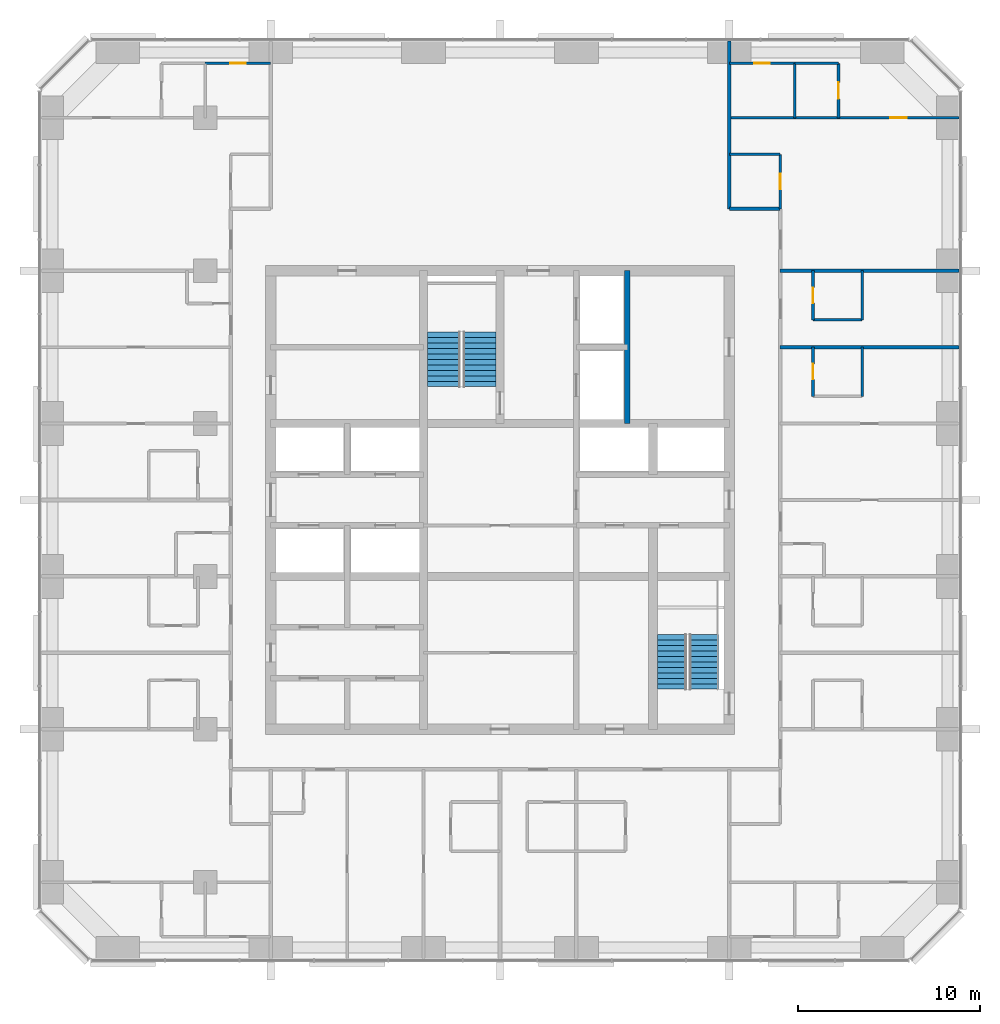
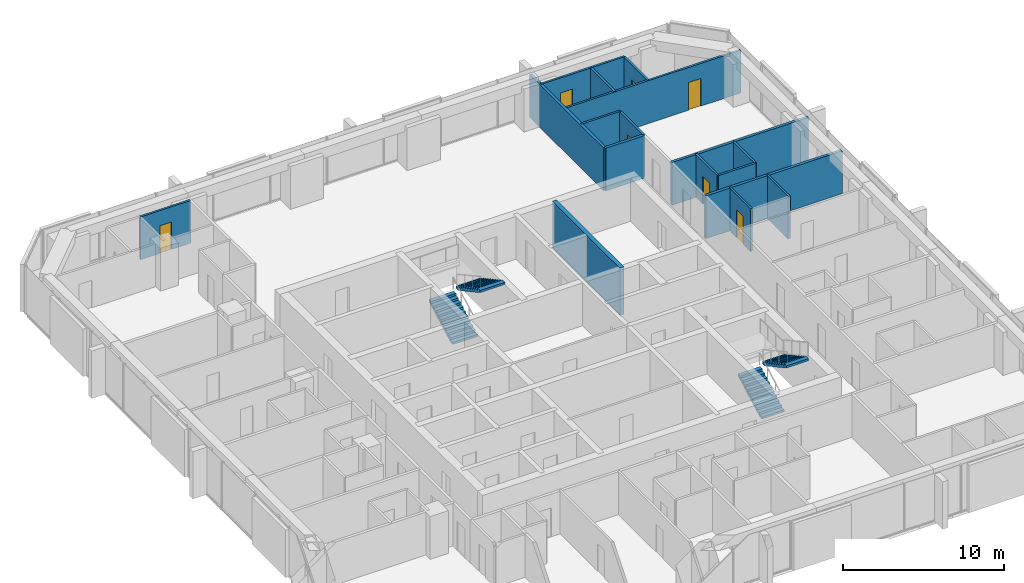
# One storey, part 12 of 13: 18 walls, 7 doors, 4 stair flights, 7 openings, 2 elements without a shape of their own.
"""IFC4 building model written with IfcOpenShell, lengths in metres."""

from ifc_helpers import new_model, si_unit, direction, frame, frame_2d, origin, place, context, subcontext, project, spatial, polyline, rectangle, outline, extrude, material, layer, layer_set, type_object, element, fill, aggregate, save


model = new_model("IFC4")

# Units and contexts
model_context = context("Model", 3, precision=1e-05, world=origin(), true_north=direction((0.0, 1.0)))
body_context = subcontext(model_context, "Body", "Model", "MODEL_VIEW")
ifc_project = project(units=[si_unit("LENGTHUNIT", "METRE"), si_unit("AREAUNIT", "SQUARE_METRE"), si_unit("VOLUMEUNIT", "CUBIC_METRE"), si_unit("PLANEANGLEUNIT", "RADIAN"), si_unit("MASSUNIT", "GRAM", prefix="KILO")], contexts=[model_context])

# Site, building, storey
site_placement = place(None, origin())
site = spatial("IfcSite", under=ifc_project, at=site_placement, CompositionType="ELEMENT")
building_placement = place(site_placement, origin())
building = spatial("IfcBuilding", under=site, at=building_placement, Name="Dunama Terrace Hotel", CompositionType="ELEMENT")
storey_placement = place(building_placement, frame((0.0, 0.0, 205.800048828125)))
storey = spatial("IfcBuildingStorey", under=building, at=storey_placement, Name="L53", CompositionType="ELEMENT", Elevation=205.800048828125)

# Wall, opening, door
ifc_material_1 = material(Name="Gypsum board partition", Category="masonry")
ifc_layer_1 = layer(ifc_material_1, 0.14990234375)
ifc_layer_set_1 = layer_set([ifc_layer_1], Name="Bathroom partition 150")
wall_type_1 = type_object("IfcWallType", Name="Bathroom partition 150", PredefinedType="PARTITIONING", material=ifc_layer_set_1)
wall_1_placement = place(storey_placement, frame((44.800048828125, 45.39990234375, 0.0), z_axis=(0.0, 0.0, 1.0), x_axis=(0.0, 1.0, 0.0)))
wall_1 = element("IfcWall", 1, at=wall_1_placement, inside=storey, type_object=wall_type_1, Name="Bathroom partition 150 L53", PredefinedType="PARTITIONING", context=body_context, shape_type="SweptSolid", body=[
    extrude(rectangle(XDim=3.0, YDim=0.14990234375, at=frame_2d((1.5, 0.0))), origin(), (0.0, 0.0, 1.0), 3.25),
])
opening_1_placement = place(wall_1_placement, frame((1.074951171875, 0.0, 0.0)))
opening_1 = element("IfcOpeningElement", 2, at=opening_1_placement, cuts=wall_1, Name="Opening L53-54-051", PredefinedType="OPENING", context=body_context, shape_type="SweptSolid", body=[
    extrude(rectangle(XDim=0.85009765625, YDim=2.10009765625, at=frame_2d((0.425048828125, 1.050048828125))), frame((0.0, 0.0849609375, 0.0), z_axis=(0.0, -1.0, 0.0), x_axis=(1.0, 0.0, 0.0)), (0.0, 0.0, 1.0), 0.169921875),
])
ifc_material_2 = material(Name="Timber door with steel frame", Category="steel")
door_type_1 = type_object("IfcDoorType", Name="Bathroom door 850", OperationType="SINGLE_SWING_LEFT", PredefinedType="DOOR", material=ifc_material_2)
door_1_placement = place(opening_1_placement, origin())
door_1 = element("IfcDoor", 3, at=door_1_placement, inside=storey, type_object=door_type_1, Name="Door to powder room L53-54-051, type D2", OperationType="SINGLE_SWING_LEFT", OverallHeight=2.10009765625, OverallWidth=0.85009765625, PredefinedType="DOOR", context=body_context, shape_type="SweptSolid", body=[
    extrude(rectangle(XDim=0.85009765625, YDim=2.10009765625, at=frame_2d((0.425048828125, 1.050048828125))), frame((0.0, 0.02490234375, 0.0), z_axis=(0.0, -1.0, 0.0), x_axis=(1.0, 0.0, 0.0)), (0.0, 0.0, 1.0), 0.050048828125),
])
fill(opening_1, door_1)

wall_2_placement = place(storey_placement, frame((46.60009765625, 35.10009765625, 0.0), z_axis=(0.0, 0.0, 1.0), x_axis=(0.0, 1.0, 0.0)))
wall_2 = element("IfcWall", 4, at=wall_2_placement, inside=storey, type_object=wall_type_1, Name="Bathroom partition 150 L53", PredefinedType="PARTITIONING", context=body_context, shape_type="SweptSolid", body=[
    extrude(rectangle(XDim=2.699951171875, YDim=0.14990234375, at=frame_2d((1.35009765625, 0.0))), origin(), (0.0, 0.0, 1.0), 3.25),
])
opening_2_placement = place(wall_2_placement, frame((0.925048828125, 0.0, 0.0)))
opening_2 = element("IfcOpeningElement", 5, at=opening_2_placement, cuts=wall_2, Name="Opening L53-54-026", PredefinedType="OPENING", context=body_context, shape_type="SweptSolid", body=[
    extrude(rectangle(XDim=0.85009765625, YDim=2.10009765625, at=frame_2d((0.425048828125, 1.050048828125))), frame((0.0, 0.0849609375, 0.0), z_axis=(0.0, -1.0, 0.0), x_axis=(1.0, 0.0, 0.0)), (0.0, 0.0, 1.0), 0.169921875),
])
door_2_placement = place(opening_2_placement, frame((0.85009765625, 0.0, 0.0), z_axis=(0.0, 0.0, 1.0), x_axis=(-1.0, 0.0, 0.0)))
door_2 = element("IfcDoor", 6, at=door_2_placement, inside=storey, type_object=door_type_1, Name="Door to en-suite bathroom L53-54-026, type D2", OperationType="SINGLE_SWING_LEFT", OverallHeight=2.10009765625, OverallWidth=0.85009765625, PredefinedType="DOOR", context=body_context, shape_type="SweptSolid", body=[
    extrude(rectangle(XDim=0.85009765625, YDim=2.10009765625, at=frame_2d((0.425048828125, 1.050048828125))), frame((0.0, 0.025146484375, 0.0), z_axis=(0.0, -1.0, 0.0), x_axis=(1.0, 0.0, 0.0)), (0.0, 0.0, 1.0), 0.050048828125),
])
fill(opening_2, door_2)

wall_3_placement = place(storey_placement, frame((46.60009765625, 39.300048828125, 0.0), z_axis=(0.0, 0.0, 1.0), x_axis=(0.0, 1.0, 0.0)))
wall_3 = element("IfcWall", 7, at=wall_3_placement, inside=storey, type_object=wall_type_1, Name="Bathroom partition 150 L53", PredefinedType="PARTITIONING", context=body_context, shape_type="SweptSolid", body=[
    extrude(rectangle(XDim=2.699951171875, YDim=0.14990234375, at=frame_2d((1.35009765625, 0.0))), origin(), (0.0, 0.0, 1.0), 3.25),
])
opening_3_placement = place(wall_3_placement, frame((0.925048828125, 0.0, 0.0)))
opening_3 = element("IfcOpeningElement", 8, at=opening_3_placement, cuts=wall_3, Name="Opening L53-54-028", PredefinedType="OPENING", context=body_context, shape_type="SweptSolid", body=[
    extrude(rectangle(XDim=0.85009765625, YDim=2.10009765625, at=frame_2d((0.425048828125, 1.050048828125))), frame((0.0, 0.0849609375, 0.0), z_axis=(0.0, -1.0, 0.0), x_axis=(1.0, 0.0, 0.0)), (0.0, 0.0, 1.0), 0.169921875),
])
door_3_placement = place(opening_3_placement, frame((0.85009765625, 0.0, 0.0), z_axis=(0.0, 0.0, 1.0), x_axis=(-1.0, 0.0, 0.0)))
door_3 = element("IfcDoor", 9, at=door_3_placement, inside=storey, type_object=door_type_1, Name="Door to en-suite bathroom L53-54-028, type D2", OperationType="SINGLE_SWING_LEFT", OverallHeight=2.10009765625, OverallWidth=0.85009765625, PredefinedType="DOOR", context=body_context, shape_type="SweptSolid", body=[
    extrude(rectangle(XDim=0.85009765625, YDim=2.10009765625, at=frame_2d((0.425048828125, 1.050048828125))), frame((0.0, 0.025146484375, 0.0), z_axis=(0.0, -1.0, 0.0), x_axis=(1.0, 0.0, 0.0)), (0.0, 0.0, 1.0), 0.050048828125),
])
fill(opening_3, door_3)

# Walls
for number, where, z_axis, x_axis, name in (
    (10, (49.300048828125, 35.10009765625, 0.0), (0.0, 0.0, 1.0), (0.0, 1.0, 0.0), "Bathroom partition 150 L53"),
    (11, (49.300048828125, 39.300048828125, 0.0), (0.0, 0.0, 1.0), (0.0, 1.0, 0.0), "Bathroom partition 150 L53"),
    (12, (46.60009765625, 39.300048828125, 0.0), (0.0, 0.0, 1.0), (1.0, 0.0, 0.0), "Bathroom partition 150 L53"),
):
    element("IfcWall", number, at=place(storey_placement, frame(where, z_axis=z_axis, x_axis=x_axis)), inside=storey, type_object=wall_type_1, Name=name, PredefinedType="PARTITIONING", context=body_context, shape_type="SweptSolid", body=[
        extrude(rectangle(XDim=2.699951171875, YDim=0.14990234375, at=frame_2d((1.35009765625, 0.0))), origin(), (0.0, 0.0, 1.0), 3.25),
    ])
wall_4_placement = place(storey_placement, frame((42.0, 48.39990234375, 0.0), z_axis=(0.0, 0.0, 1.0), x_axis=(1.0, 0.0, 0.0)))
element("IfcWall", 13, at=wall_4_placement, inside=storey, type_object=wall_type_1, Name="Bathroom partition 150 L53", PredefinedType="PARTITIONING", context=body_context, shape_type="SweptSolid", body=[
    extrude(rectangle(XDim=2.800048828125, YDim=0.14990234375, at=frame_2d((1.39990234375, 0.0))), origin(), (0.0, 0.0, 1.0), 3.25),
])

# Wall, opening, door
wall_5_placement = place(storey_placement, frame((13.199951171875, 53.39990234375, 0.0), z_axis=(0.0, 0.0, 1.0), x_axis=(1.0, 0.0, 0.0)))
wall_5 = element("IfcWall", 14, at=wall_5_placement, inside=storey, type_object=wall_type_1, Name="Bathroom partition 150 L53", PredefinedType="PARTITIONING", context=body_context, shape_type="SweptSolid", body=[
    extrude(rectangle(XDim=3.60009765625, YDim=0.14990234375, at=frame_2d((1.800048828125, 0.0))), origin(), (0.0, 0.0, 1.0), 3.25),
])
opening_4_placement = place(wall_5_placement, frame((1.375, 0.0, 0.0)))
opening_4 = element("IfcOpeningElement", 15, at=opening_4_placement, cuts=wall_5, Name="Opening L53-54-058", PredefinedType="OPENING", context=body_context, shape_type="SweptSolid", body=[
    extrude(rectangle(XDim=0.85009765625, YDim=2.10009765625, at=frame_2d((0.425048828125, 1.050048828125))), frame((0.0, 0.0849609375, 0.0), z_axis=(0.0, -1.0, 0.0), x_axis=(1.0, 0.0, 0.0)), (0.0, 0.0, 1.0), 0.169921875),
])
door_4_placement = place(opening_4_placement, frame((0.85009765625, 0.0, 0.0), z_axis=(0.0, 0.0, 1.0), x_axis=(-1.0, 0.0, 0.0)))
door_4 = element("IfcDoor", 16, at=door_4_placement, inside=storey, type_object=door_type_1, Name="Door to en-suite bathroom L53-54-058, type D2", OperationType="SINGLE_SWING_LEFT", OverallHeight=2.10009765625, OverallWidth=0.85009765625, PredefinedType="DOOR", context=body_context, shape_type="SweptSolid", body=[
    extrude(rectangle(XDim=0.85009765625, YDim=2.10009765625, at=frame_2d((0.425048828125, 1.050048828125))), frame((0.0, 0.025146484375, 0.0), z_axis=(0.0, -1.0, 0.0), x_axis=(1.0, 0.0, 0.0)), (0.0, 0.0, 1.0), 0.050048828125),
])
fill(opening_4, door_4)

wall_6_placement = place(storey_placement, frame((42.0, 53.39990234375, 0.0), z_axis=(0.0, 0.0, 1.0), x_axis=(1.0, 0.0, 0.0)))
wall_6 = element("IfcWall", 17, at=wall_6_placement, inside=storey, type_object=wall_type_1, Name="Bathroom partition 150 L53", PredefinedType="PARTITIONING", context=body_context, shape_type="SweptSolid", body=[
    extrude(rectangle(XDim=3.60009765625, YDim=0.14990234375, at=frame_2d((1.800048828125, 0.0))), origin(), (0.0, 0.0, 1.0), 3.25),
])
opening_5_placement = place(wall_6_placement, frame((1.375, 0.0, 0.0)))
opening_5 = element("IfcOpeningElement", 18, at=opening_5_placement, cuts=wall_6, Name="Opening L53-54-053", PredefinedType="OPENING", context=body_context, shape_type="SweptSolid", body=[
    extrude(rectangle(XDim=0.85009765625, YDim=2.10009765625, at=frame_2d((0.425048828125, 1.050048828125))), frame((0.0, 0.0849609375, 0.0), z_axis=(0.0, -1.0, 0.0), x_axis=(1.0, 0.0, 0.0)), (0.0, 0.0, 1.0), 0.169921875),
])
door_5_placement = place(opening_5_placement, frame((0.85009765625, 0.0, 0.0), z_axis=(0.0, 0.0, 1.0), x_axis=(-1.0, 0.0, 0.0)))
door_5 = element("IfcDoor", 19, at=door_5_placement, inside=storey, type_object=door_type_1, Name="Door to en-suite bathroom L53-54-053, type D2", OperationType="SINGLE_SWING_RIGHT", OverallHeight=2.10009765625, OverallWidth=0.85009765625, PredefinedType="DOOR", context=body_context, shape_type="SweptSolid", body=[
    extrude(rectangle(XDim=0.85009765625, YDim=2.10009765625, at=frame_2d((0.425048828125, 1.050048828125))), frame((0.0, 0.025146484375, 0.0), z_axis=(0.0, -1.0, 0.0), x_axis=(1.0, 0.0, 0.0)), (0.0, 0.0, 1.0), 0.050048828125),
])
fill(opening_5, door_5)

# Walls
ifc_material_3 = material(Name="Concrete C50/60", Category="concrete")
ifc_layer_2 = layer(ifc_material_3, 0.300048828125)
ifc_layer_set_2 = layer_set([ifc_layer_2], Name="Core inner wall 300")
wall_type_2 = type_object("IfcWallType", Name="Core inner wall 300", PredefinedType="SHEAR", material=ifc_layer_set_2)
wall_7_placement = place(storey_placement, frame((36.39990234375, 33.60009765625, -0.35009765625), z_axis=(0.0, 0.0, 1.0), x_axis=(0.0, 1.0, 0.0)))
element("IfcWall", 20, at=wall_7_placement, inside=storey, type_object=wall_type_2, Name="Core inner wall 300 L53", PredefinedType="SHEAR", context=body_context, shape_type="SweptSolid", body=[
    extrude(rectangle(XDim=8.39990234375, YDim=0.300048828125, at=frame_2d((4.199951171875, 0.0))), origin(), (0.0, 0.0, 1.0), 3.60009765625),
])
ifc_material_4 = material(Name="Concrete blockwork", Category="masonry")
ifc_layer_3 = layer(ifc_material_4, 0.199951171875)
ifc_layer_set_3 = layer_set([ifc_layer_3], Name="Corridor partition 200")
wall_type_3 = type_object("IfcWallType", Name="Corridor partition 200", PredefinedType="PARTITIONING", material=ifc_layer_set_3)
wall_8_placement = place(storey_placement, frame((42.0, 45.39990234375, 0.0), z_axis=(0.0, 0.0, 1.0), x_axis=(1.0, 0.0, 0.0)))
element("IfcWall", 21, at=wall_8_placement, inside=storey, type_object=wall_type_3, Name="Corridor partition 200 L53", PredefinedType="PARTITIONING", context=body_context, shape_type="SweptSolid", body=[
    extrude(rectangle(XDim=2.800048828125, YDim=0.199951171875, at=frame_2d((1.39990234375, 0.0))), origin(), (0.0, 0.0, 1.0), 3.25),
])
wall_9_placement = place(storey_placement, frame((42.0, 54.617919921875, 0.0), z_axis=(0.0, 0.0, 1.0), x_axis=(0.0, -1.0, 0.0)))
element("IfcWall", 22, at=wall_9_placement, inside=storey, type_object=wall_type_3, Name="Corridor partition 200 L53", PredefinedType="PARTITIONING", context=body_context, shape_type="SweptSolid", body=[
    extrude(rectangle(XDim=9.218017578125, YDim=0.199951171875, at=frame_2d((4.60888671875, 0.0))), origin(), (0.0, 0.0, 1.0), 3.25),
])
ifc_material_5 = material(Name="Concrete blockwork", Category="masonry")
ifc_layer_4 = layer(ifc_material_5, 0.199951171875)
ifc_layer_set_4 = layer_set([ifc_layer_4], Name="Party wall 200")
wall_type_4 = type_object("IfcWallType", Name="Party wall 200", PredefinedType="PARTITIONING", material=ifc_layer_set_4)
for number, where, z_axis, x_axis, name in (
    (23, (44.800048828125, 37.800048828125, 0.0), (0.0, 0.0, 1.0), (1.0, 0.0, 0.0), "Party wall 200 L53"),
    (24, (44.800048828125, 42.0, 0.0), (0.0, 0.0, 1.0), (1.0, 0.0, 0.0), "Party wall 200 L53"),
):
    element("IfcWall", number, at=place(storey_placement, frame(where, z_axis=z_axis, x_axis=x_axis)), inside=storey, type_object=wall_type_4, Name=name, PredefinedType="PARTITIONING", context=body_context, shape_type="SweptSolid", body=[
        extrude(rectangle(XDim=9.81787109375, YDim=0.199951171875, at=frame_2d((4.908935546875, 0.0))), origin(), (0.0, 0.0, 1.0), 3.25),
    ])
ifc_material_6 = material(Name="Gypsum board partition", Category="masonry")
ifc_layer_5 = layer(ifc_material_6, 0.14990234375)
ifc_layer_set_5 = layer_set([ifc_layer_5], Name="Room partition 150")
wall_type_5 = type_object("IfcWallType", Name="Room partition 150", PredefinedType="PARTITIONING", material=ifc_layer_set_5)
wall_10_placement = place(storey_placement, frame((45.60009765625, 50.39990234375, 0.0), z_axis=(0.0, 0.0, 1.0), x_axis=(0.0, 1.0, 0.0)))
element("IfcWall", 25, at=wall_10_placement, inside=storey, type_object=wall_type_5, Name="Room partition 150 L53", PredefinedType="PARTITIONING", context=body_context, shape_type="SweptSolid", body=[
    extrude(rectangle(XDim=3.0, YDim=0.14990234375, at=frame_2d((1.5, 0.0))), origin(), (0.0, 0.0, 1.0), 3.25),
])

# Wall, opening, door
wall_11_placement = place(storey_placement, frame((48.0, 50.39990234375, 0.0), z_axis=(0.0, 0.0, 1.0), x_axis=(0.0, 1.0, 0.0)))
wall_11 = element("IfcWall", 26, at=wall_11_placement, inside=storey, type_object=wall_type_5, Name="Room partition 150 L53", PredefinedType="PARTITIONING", context=body_context, shape_type="SweptSolid", body=[
    extrude(rectangle(XDim=3.0, YDim=0.14990234375, at=frame_2d((1.5, 0.0))), origin(), (0.0, 0.0, 1.0), 3.25),
])
opening_6_placement = place(wall_11_placement, frame((1.050048828125, 0.0, 0.0)))
opening_6 = element("IfcOpeningElement", 27, at=opening_6_placement, cuts=wall_11, Name="Opening L53-54-054", PredefinedType="OPENING", context=body_context, shape_type="SweptSolid", body=[
    extrude(rectangle(XDim=0.89990234375, YDim=2.10009765625, at=frame_2d((0.449951171875, 1.050048828125))), frame((0.0, 0.0849609375, 0.0), z_axis=(0.0, -1.0, 0.0), x_axis=(1.0, 0.0, 0.0)), (0.0, 0.0, 1.0), 0.169921875),
])
ifc_material_7 = material(Name="Timber door with steel frame", Category="steel")
door_type_2 = type_object("IfcDoorType", Name="Suite internal door 900", OperationType="SINGLE_SWING_LEFT", PredefinedType="DOOR", material=ifc_material_7)
door_6_placement = place(opening_6_placement, origin())
door_6 = element("IfcDoor", 28, at=door_6_placement, inside=storey, type_object=door_type_2, Name="Door to dressing room L53-54-054, type D16", OperationType="SINGLE_SWING_LEFT", OverallHeight=2.10009765625, OverallWidth=0.89990234375, PredefinedType="DOOR", context=body_context, shape_type="SweptSolid", body=[
    extrude(rectangle(XDim=0.89990234375, YDim=2.10009765625, at=frame_2d((0.449951171875, 1.050048828125))), frame((0.0, 0.02490234375, 0.0), z_axis=(0.0, -1.0, 0.0), x_axis=(1.0, 0.0, 0.0)), (0.0, 0.0, 1.0), 0.050048828125),
])
fill(opening_6, door_6)

wall_12_placement = place(storey_placement, frame((42.0, 50.39990234375, 0.0), z_axis=(0.0, 0.0, 1.0), x_axis=(1.0, 0.0, 0.0)))
wall_12 = element("IfcWall", 29, at=wall_12_placement, inside=storey, type_object=wall_type_5, Name="Room partition 150 L53", PredefinedType="PARTITIONING", context=body_context, shape_type="SweptSolid", body=[
    extrude(rectangle(XDim=12.617919921875, YDim=0.14990234375, at=frame_2d((6.30908203125, 0.0))), origin(), (0.0, 0.0, 1.0), 3.25),
])
opening_7_placement = place(wall_12_placement, frame((8.85009765625, 0.0, 0.0)))
opening_7 = element("IfcOpeningElement", 30, at=opening_7_placement, cuts=wall_12, Name="Opening L53-54-052", PredefinedType="OPENING", context=body_context, shape_type="SweptSolid", body=[
    extrude(rectangle(XDim=0.89990234375, YDim=2.10009765625, at=frame_2d((0.449951171875, 1.050048828125))), frame((0.0, 0.0849609375, 0.0), z_axis=(0.0, -1.0, 0.0), x_axis=(1.0, 0.0, 0.0)), (0.0, 0.0, 1.0), 0.169921875),
])
door_7_placement = place(opening_7_placement, origin())
door_7 = element("IfcDoor", 31, at=door_7_placement, inside=storey, type_object=door_type_2, Name="Door to corner suite bedroom L53-54-052, type D16", OperationType="SINGLE_SWING_RIGHT", OverallHeight=2.10009765625, OverallWidth=0.89990234375, PredefinedType="DOOR", context=body_context, shape_type="SweptSolid", body=[
    extrude(rectangle(XDim=0.89990234375, YDim=2.10009765625, at=frame_2d((0.449951171875, 1.050048828125))), frame((0.0, 0.02490234375, 0.0), z_axis=(0.0, -1.0, 0.0), x_axis=(1.0, 0.0, 0.0)), (0.0, 0.0, 1.0), 0.050048828125),
])
fill(opening_7, door_7)

# Wall
wall_13_placement = place(storey_placement, frame((45.60009765625, 53.39990234375, 0.0), z_axis=(0.0, 0.0, 1.0), x_axis=(1.0, 0.0, 0.0)))
element("IfcWall", 32, at=wall_13_placement, inside=storey, type_object=wall_type_5, Name="Room partition 150 L53", PredefinedType="PARTITIONING", context=body_context, shape_type="SweptSolid", body=[
    extrude(rectangle(XDim=2.39990234375, YDim=0.14990234375, at=frame_2d((1.199951171875, 0.0))), origin(), (0.0, 0.0, 1.0), 3.25),
])

# Stair, stair flights
ifc_material_8 = material(Name="Concrete C40/50", Category="concrete")
stair_type_1 = type_object("IfcStairType", Name="Stair ST1-3600-1800", PredefinedType="HALF_TURN_STAIR", material=ifc_material_8)
stair_1_placement = place(storey_placement, origin())
stair_1 = element("IfcStair", 33, at=stair_1_placement, inside=storey, type_object=stair_type_1, Name="Stair ST1 L53", PredefinedType="HALF_TURN_STAIR")
ifc_material_9 = material(Name="Concrete C40/50", Category="concrete")
stair_flight_type_1 = type_object("IfcStairFlightType", Name="Stair flight ST1-3600-1800", PredefinedType="STRAIGHT", material=ifc_material_9)
stair_flight_1_placement = place(storey_placement, frame((26.324951171875, 35.625, 0.0), z_axis=(0.0, 0.0, 1.0), x_axis=(0.0, 1.0, 0.0)))
stair_flight_1 = element("IfcStairFlight", 34, at=stair_flight_1_placement, type_object=stair_flight_type_1, Name="ST1 flight 1", NumberOfRisers=11, NumberOfTreads=10, PredefinedType="STRAIGHT", RiserHeight=0.163636364, TreadLength=0.3, context=body_context, shape_type="SweptSolid", body=[
    extrude(outline(polyline([(0.0, 0.0), (0.0, 0.16357421875), (0.300048828125, 0.16357421875), (0.300048828125, 0.327392578125), (0.60009765625, 0.327392578125), (0.60009765625, 0.490966796875), (0.89990234375, 0.490966796875), (0.89990234375, 0.654541015625), (1.199951171875, 0.654541015625), (1.199951171875, 0.818115234375), (1.5, 0.818115234375), (1.5, 0.98193359375), (1.800048828125, 0.98193359375), (1.800048828125, 1.1455078125), (2.10009765625, 1.1455078125), (2.10009765625, 1.30908203125), (2.39990234375, 1.30908203125), (2.39990234375, 1.47265625), (2.699951171875, 1.47265625), (2.699951171875, 1.636474609375), (3.0, 1.636474609375), (3.0, 1.800048828125), (3.0, 1.465576171875), (0.31298828125, 0.0), (0.0, 0.0)])), frame((0.0, 0.89990234375, 0.0), z_axis=(0.0, -1.0, 0.0), x_axis=(1.0, 0.0, 0.0)), (0.0, 0.0, 1.0), 1.800048828125),
])
stair_flight_2_placement = place(storey_placement, frame((28.27490234375, 38.625, 1.800048828125), z_axis=(0.0, 0.0, 1.0), x_axis=(0.0, -1.0, 0.0)))
stair_flight_2 = element("IfcStairFlight", 35, at=stair_flight_2_placement, type_object=stair_flight_type_1, Name="ST1 flight 2", NumberOfRisers=11, NumberOfTreads=10, PredefinedType="STRAIGHT", RiserHeight=0.163636364, TreadLength=0.3, context=body_context, shape_type="SweptSolid", body=[
    extrude(outline(polyline([(0.0, 0.0), (0.0, 0.16357421875), (0.300048828125, 0.16357421875), (0.300048828125, 0.327392578125), (0.60009765625, 0.327392578125), (0.60009765625, 0.490966796875), (0.89990234375, 0.490966796875), (0.89990234375, 0.654541015625), (1.199951171875, 0.654541015625), (1.199951171875, 0.818115234375), (1.5, 0.818115234375), (1.5, 0.98193359375), (1.800048828125, 0.98193359375), (1.800048828125, 1.1455078125), (2.10009765625, 1.1455078125), (2.10009765625, 1.30908203125), (2.39990234375, 1.30908203125), (2.39990234375, 1.47265625), (2.699951171875, 1.47265625), (2.699951171875, 1.636474609375), (3.0, 1.636474609375), (3.0, 1.800048828125), (3.0, 1.465576171875), (0.31298828125, 0.0), (0.0, 0.0)])), frame((0.0, 0.89990234375, 0.0), z_axis=(0.0, -1.0, 0.0), x_axis=(1.0, 0.0, 0.0)), (0.0, 0.0, 1.0), 1.800048828125),
])
aggregate(stair_1, [stair_flight_1, stair_flight_2])

ifc_material_10 = material(Name="Concrete C40/50", Category="concrete")
stair_type_2 = type_object("IfcStairType", Name="Stair ST2-3600-1600", PredefinedType="HALF_TURN_STAIR", material=ifc_material_10)
stair_2_placement = place(storey_placement, origin())
stair_2 = element("IfcStair", 36, at=stair_2_placement, inside=storey, type_object=stair_type_2, Name="Stair ST2 L53", PredefinedType="HALF_TURN_STAIR")
ifc_material_11 = material(Name="Concrete C40/50", Category="concrete")
stair_flight_type_2 = type_object("IfcStairFlightType", Name="Stair flight ST2-3600-1600", PredefinedType="STRAIGHT", material=ifc_material_11)
stair_flight_3_placement = place(storey_placement, frame((38.85009765625, 19.0, 0.0), z_axis=(0.0, 0.0, 1.0), x_axis=(0.0, 1.0, 0.0)))
stair_flight_3 = element("IfcStairFlight", 37, at=stair_flight_3_placement, type_object=stair_flight_type_2, Name="ST2 flight 1", NumberOfRisers=11, NumberOfTreads=10, PredefinedType="STRAIGHT", RiserHeight=0.163636364, TreadLength=0.3, context=body_context, shape_type="SweptSolid", body=[
    extrude(outline(polyline([(0.0, 0.0), (0.0, 0.16357421875), (0.300048828125, 0.16357421875), (0.300048828125, 0.327392578125), (0.60009765625, 0.327392578125), (0.60009765625, 0.490966796875), (0.89990234375, 0.490966796875), (0.89990234375, 0.654541015625), (1.199951171875, 0.654541015625), (1.199951171875, 0.818115234375), (1.5, 0.818115234375), (1.5, 0.98193359375), (1.800048828125, 0.98193359375), (1.800048828125, 1.1455078125), (2.10009765625, 1.1455078125), (2.10009765625, 1.30908203125), (2.39990234375, 1.30908203125), (2.39990234375, 1.47265625), (2.699951171875, 1.47265625), (2.699951171875, 1.636474609375), (3.0, 1.636474609375), (3.0, 1.800048828125), (3.0, 1.465576171875), (0.31298828125, 0.0), (0.0, 0.0)])), frame((0.0, 0.800048828125, 0.0), z_axis=(0.0, -1.0, 0.0), x_axis=(1.0, 0.0, 0.0)), (0.0, 0.0, 1.0), 1.60009765625),
])
stair_flight_4_placement = place(storey_placement, frame((40.60009765625, 22.0, 1.800048828125), z_axis=(0.0, 0.0, 1.0), x_axis=(0.0, -1.0, 0.0)))
stair_flight_4 = element("IfcStairFlight", 38, at=stair_flight_4_placement, type_object=stair_flight_type_2, Name="ST2 flight 2", NumberOfRisers=11, NumberOfTreads=10, PredefinedType="STRAIGHT", RiserHeight=0.163636364, TreadLength=0.3, context=body_context, shape_type="SweptSolid", body=[
    extrude(outline(polyline([(0.0, 0.0), (0.0, 0.16357421875), (0.300048828125, 0.16357421875), (0.300048828125, 0.327392578125), (0.60009765625, 0.327392578125), (0.60009765625, 0.490966796875), (0.89990234375, 0.490966796875), (0.89990234375, 0.654541015625), (1.199951171875, 0.654541015625), (1.199951171875, 0.818115234375), (1.5, 0.818115234375), (1.5, 0.98193359375), (1.800048828125, 0.98193359375), (1.800048828125, 1.1455078125), (2.10009765625, 1.1455078125), (2.10009765625, 1.30908203125), (2.39990234375, 1.30908203125), (2.39990234375, 1.47265625), (2.699951171875, 1.47265625), (2.699951171875, 1.636474609375), (3.0, 1.636474609375), (3.0, 1.800048828125), (3.0, 1.465576171875), (0.31298828125, 0.0), (0.0, 0.0)])), frame((0.0, 0.800048828125, 0.0), z_axis=(0.0, -1.0, 0.0), x_axis=(1.0, 0.0, 0.0)), (0.0, 0.0, 1.0), 1.60009765625),
])
aggregate(stair_2, [stair_flight_3, stair_flight_4])

save(model, "model.ifc")
